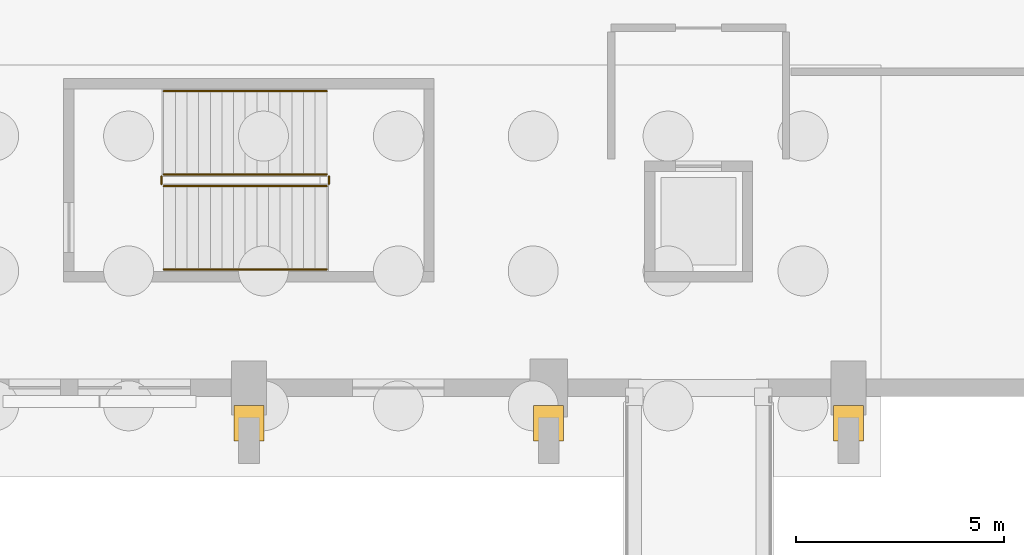
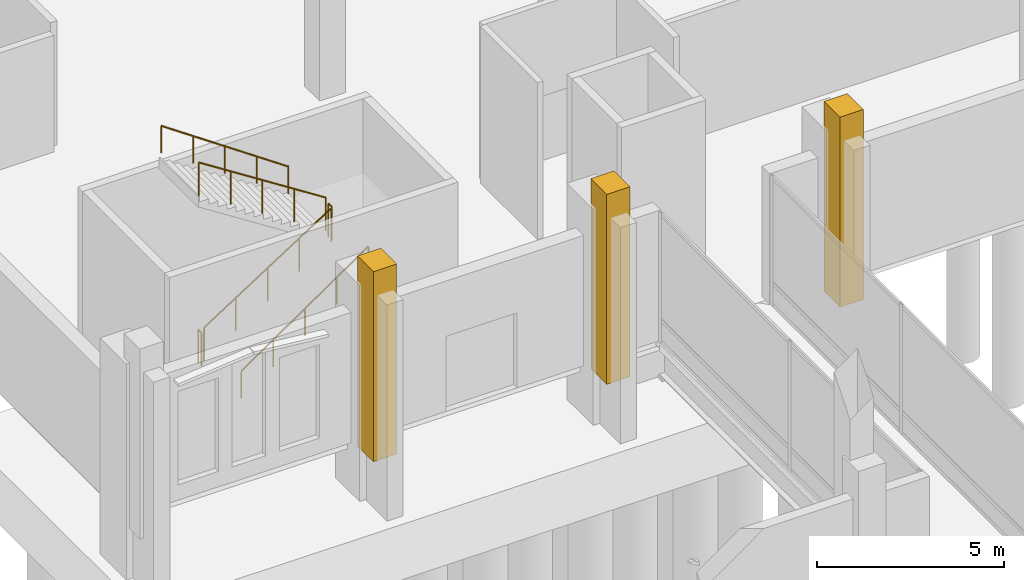
# One storey, part 174 of 192: 6 railings, 3 coverings.
"""IFC4 building model written with IfcOpenShell, lengths in metres."""

from ifc_helpers import new_model, si_unit, direction, frame, origin, origin_2d, place, context, subcontext, project, spatial, polyline, circle, outline, extrude, material, layer, layer_set, type_object, element, save


model = new_model("IFC4")

# Units and contexts
model_context = context("Model", 3, precision=1e-05, world=origin(), true_north=direction((0.0, 1.0)))
body_context = subcontext(model_context, "Body", "Model", "MODEL_VIEW")
ifc_project = project(units=[si_unit("LENGTHUNIT", "METRE"), si_unit("AREAUNIT", "SQUARE_METRE"), si_unit("VOLUMEUNIT", "CUBIC_METRE"), si_unit("PLANEANGLEUNIT", "RADIAN"), si_unit("MASSUNIT", "GRAM", prefix="KILO")], contexts=[model_context])

# Site, building, storey
site_placement = place(None, origin())
site = spatial("IfcSite", under=ifc_project, at=site_placement, CompositionType="ELEMENT")
building_placement = place(site_placement, origin())
building = spatial("IfcBuilding", under=site, at=building_placement, Name="Cendralis Lancet Convention Centre", CompositionType="ELEMENT")
storey_placement = place(building_placement, origin())
storey = spatial("IfcBuildingStorey", under=building, at=storey_placement, Name="L00", CompositionType="ELEMENT", Elevation=0.0)

# Coverings
ifc_material_1 = material(Name="Warm buff sandstone chevron cassette", Category="masonry")
ifc_layer = layer(ifc_material_1, 0.06005859375, Name="Warm buff sandstone chevron cassette")
ifc_layer_set = layer_set([ifc_layer], Name="Warm buff sandstone chevron cassette")
covering_type = type_object("IfcCoveringType", Name="ARC-CV-CLAD1", PredefinedType="CLADDING", material=ifc_layer_set)
covering_1_placement = place(storey_placement, origin())
element("IfcCovering", 1, at=covering_1_placement, inside=storey, type_object=covering_type, Name="Gothic Stepped Stone Buttress Base #0003", PredefinedType="CLADDING", context=body_context, shape_type="SweptSolid", body=[
    extrude(outline(polyline([(6.840087890625, 49.1298828125), (7.56005859375, 49.1298828125), (7.56005859375, 49.97998046875), (6.840087890625, 49.97998046875), (6.840087890625, 49.1298828125)])), origin(), (0.0, 0.0, 1.0), 6.199951171875),
])
covering_2_placement = place(storey_placement, origin())
element("IfcCovering", 2, at=covering_2_placement, inside=storey, type_object=covering_type, Name="Gothic Stepped Stone Buttress Base #0005", PredefinedType="CLADDING", context=body_context, shape_type="SweptSolid", body=[
    extrude(outline(polyline([(14.0400390625, 49.1298828125), (14.760009765625, 49.1298828125), (14.760009765625, 49.97998046875), (14.0400390625, 49.97998046875), (14.0400390625, 49.1298828125)])), origin(), (0.0, 0.0, 1.0), 6.199951171875),
])
covering_3_placement = place(storey_placement, origin())
element("IfcCovering", 3, at=covering_3_placement, inside=storey, type_object=covering_type, Name="Gothic Stepped Stone Buttress Base #0007", PredefinedType="CLADDING", context=body_context, shape_type="SweptSolid", body=[
    extrude(outline(polyline([(21.239990234375, 49.1298828125), (21.9599609375, 49.1298828125), (21.9599609375, 49.97998046875), (21.239990234375, 49.97998046875), (21.239990234375, 49.1298828125)])), origin(), (0.0, 0.0, 1.0), 6.199951171875),
])

# Railings
ifc_material_2 = material(Name="Steel S355", Category="steel")
railing_type_1 = type_object("IfcRailingType", Name="ARC-RL-CGD", PredefinedType="GUARDRAIL", material=ifc_material_2)
railing_1_placement = place(storey_placement, frame((5.14990234375, 55.25, 0.179931640625)))
element("IfcRailing", 4, at=railing_1_placement, inside=storey, type_object=railing_type_1, Name="L00 ST-01 stair guard 1", PredefinedType="GUARDRAIL", context=body_context, shape_type="SweptSolid", body=[
    extrude(circle(Radius=0.02392578125, at=origin_2d()), frame((0.0, 0.0, 1.076171875), z_axis=(0.841186985886, 0.0, 0.540744352514), x_axis=(0.0, 1.0, 0.0)), (0.0, 0.0, 1.0), 4.660400390625),
    extrude(circle(Radius=0.02099609375, at=origin_2d()), origin(), (0.0, 0.0, 1.0), 1.052001953125),
    extrude(circle(Radius=0.02099609375, at=origin_2d()), frame((0.97998046875, 0.0, 0.6298828125)), (0.0, 0.0, 1.0), 1.052001953125),
    extrude(circle(Radius=0.02099609375, at=origin_2d()), frame((1.9599609375, 0.0, 1.260009765625)), (0.0, 0.0, 1.0), 1.052001953125),
    extrude(circle(Radius=0.02099609375, at=origin_2d()), frame((2.940185546875, 0.0, 1.89013671875)), (0.0, 0.0, 1.0), 1.052001953125),
    extrude(circle(Radius=0.02099609375, at=origin_2d()), frame((3.920166015625, 0.0, 2.52001953125)), (0.0, 0.0, 1.0), 1.052001953125),
])
railing_2_placement = place(storey_placement, frame((9.1201171875, 55.300048828125, 2.699951171875)))
element("IfcRailing", 5, at=railing_2_placement, inside=storey, type_object=railing_type_1, Name="L00 ST-01 stair guard 2", PredefinedType="GUARDRAIL", context=body_context, shape_type="SweptSolid", body=[
    extrude(circle(Radius=0.02392578125, at=origin_2d()), frame((0.0, 0.0, 1.076171875), z_axis=(0.0, 1.0, 0.0), x_axis=(-1.0, 0.0, 0.0)), (0.0, 0.0, 1.0), 0.179931640625),
    extrude(circle(Radius=0.02099609375, at=origin_2d()), origin(), (0.0, 0.0, 1.0), 1.052001953125),
    extrude(circle(Radius=0.02099609375, at=origin_2d()), frame((0.0, 0.179931640625, 0.0)), (0.0, 0.0, 1.0), 1.052001953125),
])
railing_3_placement = place(storey_placement, frame((9.070068359375, 55.530029296875, 2.8798828125)))
element("IfcRailing", 6, at=railing_3_placement, inside=storey, type_object=railing_type_1, Name="L00 ST-01 stair guard 3", PredefinedType="GUARDRAIL", context=body_context, shape_type="SweptSolid", body=[
    extrude(circle(Radius=0.02392578125, at=origin_2d()), frame((0.0, 0.0, 1.076171875), z_axis=(-0.841186985886, 0.0, 0.540744352514), x_axis=(0.0, -1.0, 0.0)), (0.0, 0.0, 1.0), 4.660400390625),
    extrude(circle(Radius=0.02099609375, at=origin_2d()), origin(), (0.0, 0.0, 1.0), 1.052001953125),
    extrude(circle(Radius=0.02099609375, at=origin_2d()), frame((-0.97998046875, 0.0, 0.6298828125)), (0.0, 0.0, 1.0), 1.052001953125),
    extrude(circle(Radius=0.02099609375, at=origin_2d()), frame((-1.9599609375, 0.0, 1.260009765625)), (0.0, 0.0, 1.0), 1.052001953125),
    extrude(circle(Radius=0.02099609375, at=origin_2d()), frame((-2.940185546875, 0.0, 1.89013671875)), (0.0, 0.0, 1.0), 1.052001953125),
    extrude(circle(Radius=0.02099609375, at=origin_2d()), frame((-3.920166015625, 0.0, 2.52001953125)), (0.0, 0.0, 1.0), 1.052001953125),
])
railing_4_placement = place(storey_placement, frame((5.10009765625, 55.300048828125, 0.0)))
element("IfcRailing", 7, at=railing_4_placement, inside=storey, type_object=railing_type_1, Name="L00 ST-01 stair guard 4", PredefinedType="GUARDRAIL", context=body_context, shape_type="SweptSolid", body=[
    extrude(circle(Radius=0.02392578125, at=origin_2d()), frame((0.0, 0.0, 1.076171875), z_axis=(0.0, 1.0, 0.0), x_axis=(-1.0, 0.0, 0.0)), (0.0, 0.0, 1.0), 0.179931640625),
    extrude(circle(Radius=0.02099609375, at=origin_2d()), origin(), (0.0, 0.0, 1.0), 1.052001953125),
    extrude(circle(Radius=0.02099609375, at=origin_2d()), frame((0.0, 0.179931640625, 0.0)), (0.0, 0.0, 1.0), 1.052001953125),
])
railing_type_2 = type_object("IfcRailingType", Name="ARC-RL-CHR", PredefinedType="HANDRAIL", material=ifc_material_2)
railing_5_placement = place(storey_placement, frame((5.14990234375, 53.25, 0.179931640625)))
element("IfcRailing", 8, at=railing_5_placement, inside=storey, type_object=railing_type_2, Name="L00 ST-01 stair handrail 1", PredefinedType="HANDRAIL", context=body_context, shape_type="SweptSolid", body=[
    extrude(circle(Radius=0.02392578125, at=origin_2d()), frame((0.0, 0.0, 0.8759765625), z_axis=(0.823567234665, 0.0, 0.567218661528), x_axis=(0.0, 1.0, 0.0)), (0.0, 0.0, 1.0), 4.760009765625),
    extrude(circle(Radius=0.02099609375, at=origin_2d()), origin(), (0.0, 0.0, 1.0), 0.851806640625),
    extrude(circle(Radius=0.02099609375, at=origin_2d()), frame((0.97998046875, 0.0, 0.675048828125)), (0.0, 0.0, 1.0), 0.851806640625),
    extrude(circle(Radius=0.02099609375, at=origin_2d()), frame((1.9599609375, 0.0, 1.35009765625)), (0.0, 0.0, 1.0), 0.851806640625),
    extrude(circle(Radius=0.02099609375, at=origin_2d()), frame((2.940185546875, 0.0, 2.02490234375)), (0.0, 0.0, 1.0), 0.851806640625),
    extrude(circle(Radius=0.02099609375, at=origin_2d()), frame((3.920166015625, 0.0, 2.699951171875)), (0.0, 0.0, 1.0), 0.851806640625),
])
railing_6_placement = place(storey_placement, frame((9.070068359375, 57.530029296875, 2.8798828125)))
element("IfcRailing", 9, at=railing_6_placement, inside=storey, type_object=railing_type_2, Name="L00 ST-01 stair handrail 2", PredefinedType="HANDRAIL", context=body_context, shape_type="SweptSolid", body=[
    extrude(circle(Radius=0.02392578125, at=origin_2d()), frame((0.0, 0.0, 0.8759765625), z_axis=(-0.82354327477, 0.0, 0.567253448276), x_axis=(0.0, -1.0, 0.0)), (0.0, 0.0, 1.0), 4.760009765625),
    extrude(circle(Radius=0.02099609375, at=origin_2d()), origin(), (0.0, 0.0, 1.0), 0.851806640625),
    extrude(circle(Radius=0.02099609375, at=origin_2d()), frame((-0.97998046875, 0.0, 0.675048828125)), (0.0, 0.0, 1.0), 0.851806640625),
    extrude(circle(Radius=0.02099609375, at=origin_2d()), frame((-1.9599609375, 0.0, 1.35009765625)), (0.0, 0.0, 1.0), 0.851806640625),
    extrude(circle(Radius=0.02099609375, at=origin_2d()), frame((-2.940185546875, 0.0, 2.025146484375)), (0.0, 0.0, 1.0), 0.851806640625),
    extrude(circle(Radius=0.02099609375, at=origin_2d()), frame((-3.920166015625, 0.0, 2.7001953125)), (0.0, 0.0, 1.0), 0.851806640625),
])

save(model, "model.ifc")
